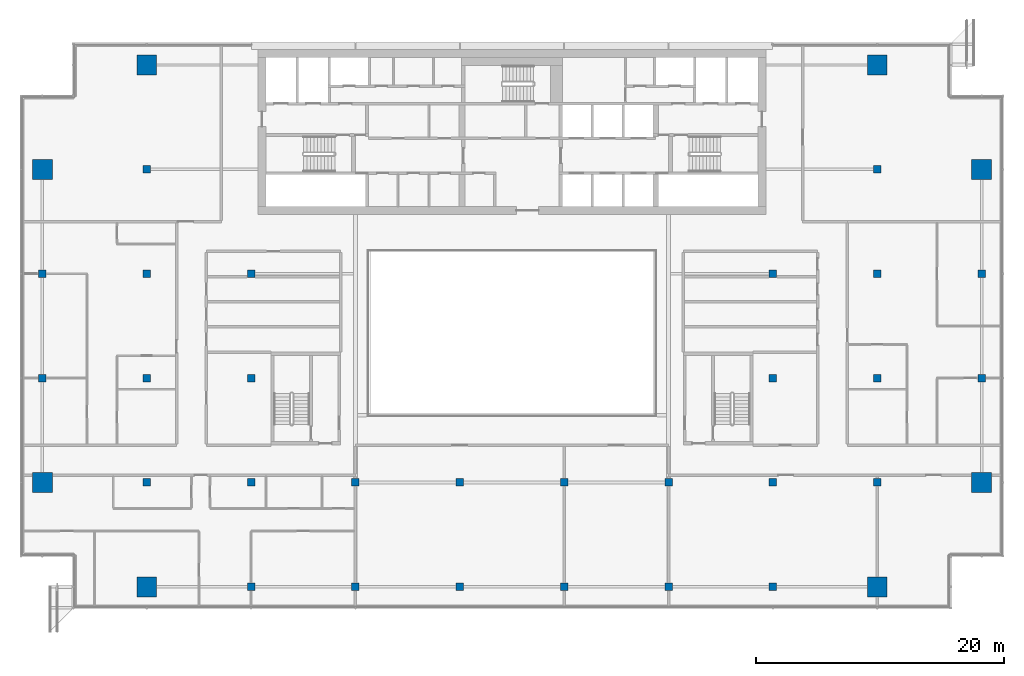
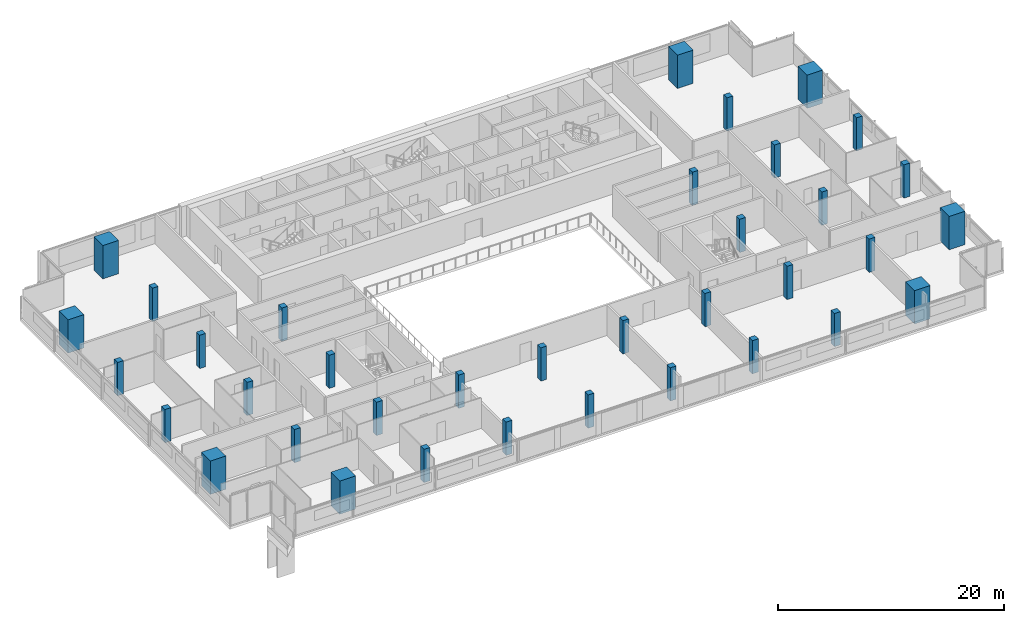
# One storey, part 1 of 25: 36 columns.
"""IFC4 building model written with IfcOpenShell, lengths in metres."""

from ifc_helpers import new_model, si_unit, direction, frame, origin, origin_2d, place, context, subcontext, project, spatial, rectangle, extrude, material, material_profile, profile_set, type_object, element, save


model = new_model("IFC4")

# Units and contexts
model_context = context("Model", 3, precision=1e-05, world=origin(), true_north=direction((0.0, 1.0)))
body_context = subcontext(model_context, "Body", "Model", "MODEL_VIEW")
ifc_project = project(units=[si_unit("LENGTHUNIT", "METRE"), si_unit("AREAUNIT", "SQUARE_METRE"), si_unit("VOLUMEUNIT", "CUBIC_METRE"), si_unit("PLANEANGLEUNIT", "RADIAN"), si_unit("MASSUNIT", "GRAM", prefix="KILO")], contexts=[model_context])

# Site, building, storey
site_placement = place(None, origin())
site = spatial("IfcSite", under=ifc_project, at=site_placement, CompositionType="ELEMENT")
building_placement = place(site_placement, origin())
building = spatial("IfcBuilding", under=site, at=building_placement, Name="Saffron Gate Tower", CompositionType="ELEMENT")
storey_placement = place(building_placement, frame((0.0, 0.0, 248.699951171875)))
storey = spatial("IfcBuildingStorey", under=building, at=storey_placement, Name="L61", CompositionType="ELEMENT", Elevation=248.699951171875)

# Columns
ifc_material_1 = material(Name="Concrete C50", Category="concrete")
ifc_material_profile_1 = material_profile(ifc_material_1, rectangle(XDim=0.60009765625, YDim=0.60009765625, at=origin_2d()))
ifc_profile_set_1 = profile_set([ifc_material_profile_1], Name="Concrete C50")
column_type_1 = type_object("IfcColumnType", Name="C2 RC 600x600 CONCRETE C50", PredefinedType="COLUMN", material=ifc_profile_set_1)
for number, where, z_axis, x_axis, name in (
    (1, (49.800048828125, 48.60009765625, 0.0), (0.0, 0.0, 1.0), (1.0, 0.0, 0.0), "C2 COLUMN X1-C"),
    (2, (49.800048828125, 57.0, 0.0), (0.0, 0.0, 1.0), (1.0, 0.0, 0.0), "C2 COLUMN X1-D"),
    (3, (58.199951171875, 40.199951171875, 0.0), (0.0, 0.0, 1.0), (1.0, 0.0, 0.0), "C2 COLUMN X2-B"),
    (4, (58.199951171875, 48.60009765625, 0.0), (0.0, 0.0, 1.0), (1.0, 0.0, 0.0), "C2 COLUMN X2-C"),
    (5, (58.199951171875, 57.0, 0.0), (0.0, 0.0, 1.0), (1.0, 0.0, 0.0), "C2 COLUMN X2-D"),
    (6, (58.199951171875, 65.39990234375, 0.0), (0.0, 0.0, 1.0), (1.0, 0.0, 0.0), "C2 COLUMN X2-E"),
    (7, (66.60009765625, 31.800048828125, 0.0), (0.0, 0.0, 1.0), (1.0, 0.0, 0.0), "C2 COLUMN X3-A"),
    (8, (66.60009765625, 40.199951171875, 0.0), (0.0, 0.0, 1.0), (1.0, 0.0, 0.0), "C2 COLUMN X3-B"),
    (9, (66.60009765625, 48.60009765625, 0.0), (0.0, 0.0, 1.0), (1.0, 0.0, 0.0), "C2 COLUMN X3-C"),
    (10, (66.60009765625, 57.0, 0.0), (0.0, 0.0, 1.0), (1.0, 0.0, 0.0), "C2 COLUMN X3-D"),
    (11, (75.0, 31.800048828125, 0.0), (0.0, 0.0, 1.0), (1.0, 0.0, 0.0), "C2 COLUMN X4-A"),
    (12, (75.0, 40.199951171875, 0.0), (0.0, 0.0, 1.0), (1.0, 0.0, 0.0), "C2 COLUMN X4-B"),
    (13, (83.39990234375, 31.800048828125, 0.0), (0.0, 0.0, 1.0), (1.0, 0.0, 0.0), "C2 COLUMN X5-A"),
    (14, (83.39990234375, 40.199951171875, 0.0), (0.0, 0.0, 1.0), (1.0, 0.0, 0.0), "C2 COLUMN X5-B"),
    (15, (91.800048828125, 31.800048828125, 0.0), (0.0, 0.0, 1.0), (1.0, 0.0, 0.0), "C2 COLUMN X6-A"),
    (16, (91.800048828125, 40.199951171875, 0.0), (0.0, 0.0, 1.0), (1.0, 0.0, 0.0), "C2 COLUMN X6-B"),
    (17, (100.199951171875, 31.800048828125, 0.0), (0.0, 0.0, 1.0), (1.0, 0.0, 0.0), "C2 COLUMN X7-A"),
    (18, (100.199951171875, 40.199951171875, 0.0), (0.0, 0.0, 1.0), (1.0, 0.0, 0.0), "C2 COLUMN X7-B"),
    (19, (108.60009765625, 31.800048828125, 0.0), (0.0, 0.0, 1.0), (1.0, 0.0, 0.0), "C2 COLUMN X8-A"),
    (20, (108.60009765625, 40.199951171875, 0.0), (0.0, 0.0, 1.0), (1.0, 0.0, 0.0), "C2 COLUMN X8-B"),
    (21, (108.60009765625, 48.60009765625, 0.0), (0.0, 0.0, 1.0), (1.0, 0.0, 0.0), "C2 COLUMN X8-C"),
    (22, (108.60009765625, 57.0, 0.0), (0.0, 0.0, 1.0), (1.0, 0.0, 0.0), "C2 COLUMN X8-D"),
    (23, (117.0, 40.199951171875, 0.0), (0.0, 0.0, 1.0), (1.0, 0.0, 0.0), "C2 COLUMN X9-B"),
    (24, (117.0, 48.60009765625, 0.0), (0.0, 0.0, 1.0), (1.0, 0.0, 0.0), "C2 COLUMN X9-C"),
    (25, (117.0, 57.0, 0.0), (0.0, 0.0, 1.0), (1.0, 0.0, 0.0), "C2 COLUMN X9-D"),
    (26, (117.0, 65.39990234375, 0.0), (0.0, 0.0, 1.0), (1.0, 0.0, 0.0), "C2 COLUMN X9-E"),
    (27, (125.39990234375, 48.60009765625, 0.0), (0.0, 0.0, 1.0), (1.0, 0.0, 0.0), "C2 COLUMN X10-C"),
    (28, (125.39990234375, 57.0, 0.0), (0.0, 0.0, 1.0), (1.0, 0.0, 0.0), "C2 COLUMN X10-D"),
):
    element("IfcColumn", number, at=place(storey_placement, frame(where, z_axis=z_axis, x_axis=x_axis)), inside=storey, type_object=column_type_1, Name=name, PredefinedType="COLUMN", context=body_context, shape_type="SweptSolid", body=[
        extrude(rectangle(XDim=0.60009765625, YDim=0.60009765625, at=origin_2d()), origin(), (0.0, 0.0, 1.0), 3.60009765625),
    ])
ifc_material_2 = material(Name="Concrete C70", Category="concrete")
ifc_material_profile_2 = material_profile(ifc_material_2, rectangle(XDim=1.60009765625, YDim=1.60009765625, at=origin_2d()))
ifc_profile_set_2 = profile_set([ifc_material_profile_2], Name="Concrete C70")
column_type_2 = type_object("IfcColumnType", Name="MC1 RC 1600x1600 CONCRETE C70", PredefinedType="COLUMN", material=ifc_profile_set_2)
for number, where, z_axis, x_axis, name in (
    (29, (49.800048828125, 40.199951171875, 0.0), (0.0, 0.0, 1.0), (1.0, 0.0, 0.0), "MC1 MEGA COLUMN X1-B"),
    (30, (49.800048828125, 65.39990234375, 0.0), (0.0, 0.0, 1.0), (1.0, 0.0, 0.0), "MC1 MEGA COLUMN X1-E"),
    (31, (58.199951171875, 31.800048828125, 0.0), (0.0, 0.0, 1.0), (1.0, 0.0, 0.0), "MC1 MEGA COLUMN X2-A"),
    (32, (58.199951171875, 73.800048828125, 0.0), (0.0, 0.0, 1.0), (1.0, 0.0, 0.0), "MC1 MEGA COLUMN X2-F"),
    (33, (117.0, 31.800048828125, 0.0), (0.0, 0.0, 1.0), (1.0, 0.0, 0.0), "MC1 MEGA COLUMN X9-A"),
    (34, (117.0, 73.800048828125, 0.0), (0.0, 0.0, 1.0), (1.0, 0.0, 0.0), "MC1 MEGA COLUMN X9-F"),
    (35, (125.39990234375, 40.199951171875, 0.0), (0.0, 0.0, 1.0), (1.0, 0.0, 0.0), "MC1 MEGA COLUMN X10-B"),
    (36, (125.39990234375, 65.39990234375, 0.0), (0.0, 0.0, 1.0), (1.0, 0.0, 0.0), "MC1 MEGA COLUMN X10-E"),
):
    element("IfcColumn", number, at=place(storey_placement, frame(where, z_axis=z_axis, x_axis=x_axis)), inside=storey, type_object=column_type_2, Name=name, PredefinedType="COLUMN", context=body_context, shape_type="SweptSolid", body=[
        extrude(rectangle(XDim=1.60009765625, YDim=1.60009765625, at=origin_2d()), origin(), (0.0, 0.0, 1.0), 3.60009765625),
    ])

save(model, "model.ifc")
